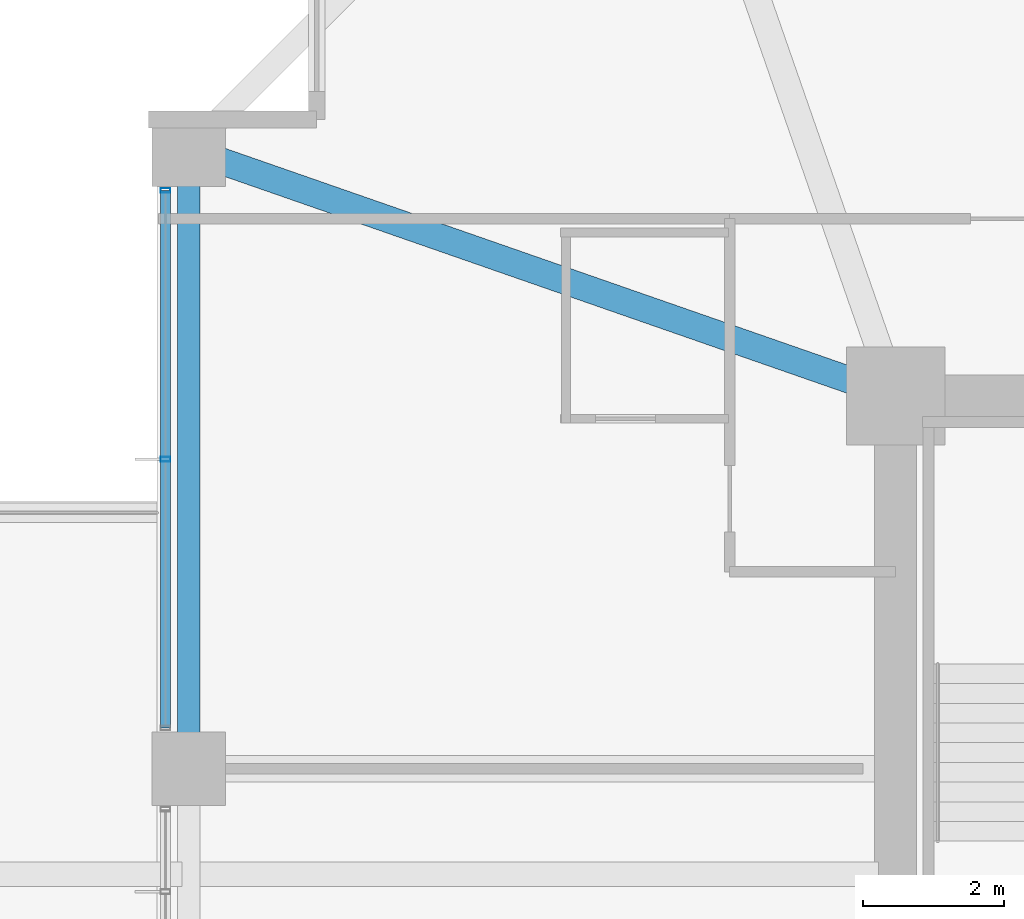
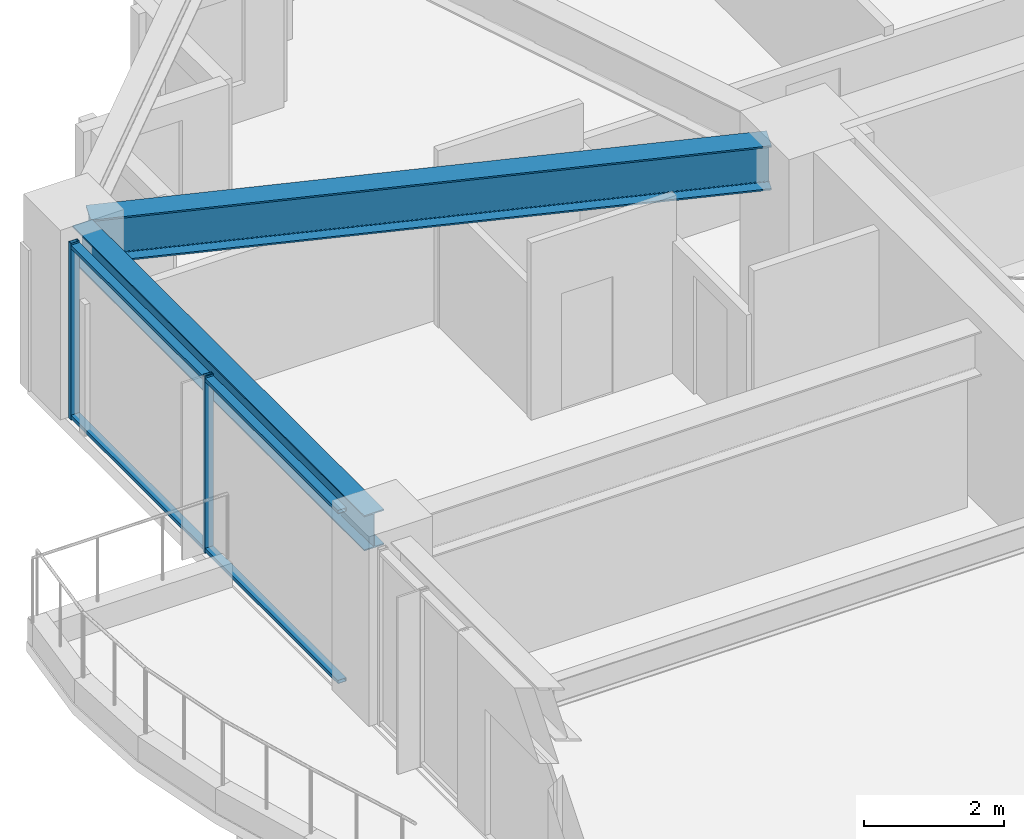
# One storey, part 16 of 38: 4 members, 2 beams, 1 element without a shape of its own.
"""IFC4 building model written with IfcOpenShell, lengths in metres."""

import ifcopenshell
import ifcopenshell.guid

model = None  # the IFC model being written
_history = None  # IfcOwnerHistory: only IFC2X3 demands one
_inside = {}  # id of a spatial element -> (the spatial element, [elements in it])
_under = {}  # id of a project, library or spatial element -> (it, [spatial elements below it])
_declared = {}  # id of a project -> (the project, [libraries it declares])
_typed = {}  # id of a type object -> (the type object, [elements of that type])
_made_of = {}  # id of a material, layer set ... -> (it, [elements and type objects made of it])


def new_model(schema):
    """Start an empty IFC model of exactly this schema.

    Asked for "IFC4X3", IfcOpenShell would pick the latest addendum, in which some entities
    have other attributes; the version numbers below select the first issue.
    IFC2X3 requires an IfcOwnerHistory on every rooted entity: one is made here for all.
    """
    global model, _history
    if schema == "IFC4X3":
        model = ifcopenshell.file(schema_version=(4, 3, 0, 0))
    else:
        model = ifcopenshell.file(schema=schema)
    _inside.clear()
    _under.clear()
    _declared.clear()
    _typed.clear()
    _made_of.clear()
    _history = None
    if model.schema == "IFC2X3":
        org = make("IfcOrganization", Name="unknown")
        user = make(
            "IfcPersonAndOrganization",
            ThePerson=make("IfcPerson", FamilyName="unknown"),
            TheOrganization=org,
        )
        app = make(
            "IfcApplication",
            ApplicationDeveloper=org,
            Version="unknown",
            ApplicationFullName="unknown",
            ApplicationIdentifier="unknown",
        )
        _history = make(
            "IfcOwnerHistory",
            OwningUser=user,
            OwningApplication=app,
            ChangeAction="ADDED",
            CreationDate=0,
        )
    return model


def make(cls, **values):
    """One entity of the class cls with the attributes given. An attribute that is None is left unset."""
    return model.create_entity(
        cls, **{name: value for name, value in values.items() if value is not None}
    )


def rooted(cls, **values):
    """An entity with a GlobalId (a new one), such as an element, a storey or a relation."""
    return make(cls, GlobalId=ifcopenshell.guid.new(), OwnerHistory=_history, **values)


def si_unit(unit_type, name, prefix=None):
    """IfcSIUnit, for example si_unit("LENGTHUNIT", "METRE", prefix="MILLI")."""
    return make("IfcSIUnit", UnitType=unit_type, Prefix=prefix, Name=name)


def assignment(units):
    """IfcUnitAssignment: the units of a project."""
    return None if units is None else make("IfcUnitAssignment", Units=units)


def point(xyz):
    """IfcCartesianPoint."""
    return None if xyz is None else make("IfcCartesianPoint", Coordinates=xyz)


def direction(xyz):
    """IfcDirection."""
    return None if xyz is None else make("IfcDirection", DirectionRatios=xyz)


def frame(location, z_axis=None, x_axis=None):
    """IfcAxis2Placement3D, a coordinate frame: its origin and axes. An axis left out is left unset."""
    return make(
        "IfcAxis2Placement3D",
        Location=point(location),
        Axis=direction(z_axis),
        RefDirection=direction(x_axis),
    )


def frame_2d(location, x_axis=None):
    """IfcAxis2Placement2D, a coordinate frame in the plane: its origin and x axis."""
    return make(
        "IfcAxis2Placement2D", Location=point(location), RefDirection=direction(x_axis)
    )


def origin():
    """The frame at (0, 0, 0) with its axes left unset."""
    return frame((0.0, 0.0, 0.0))


def origin_2d():
    """The frame at (0, 0) in the plane with its x axis left unset."""
    return frame_2d((0.0, 0.0))


def place(relative_to, where):
    """IfcLocalPlacement: puts the frame where relative to a parent placement (None: the world)."""
    return make(
        "IfcLocalPlacement", PlacementRelTo=relative_to, RelativePlacement=where
    )


def context(
    kind, dimensions, precision=None, world=None, true_north=None, identifier=None
):
    """IfcGeometricRepresentationContext, for example the 3D "Model" context."""
    return make(
        "IfcGeometricRepresentationContext",
        ContextIdentifier=identifier,
        ContextType=kind,
        CoordinateSpaceDimension=dimensions,
        Precision=precision,
        WorldCoordinateSystem=world,
        TrueNorth=true_north,
    )


def subcontext(parent, identifier, kind, view, scale=None):
    """IfcGeometricRepresentationSubContext, for example "Body" below "Model"."""
    return make(
        "IfcGeometricRepresentationSubContext",
        ContextIdentifier=identifier,
        ContextType=kind,
        ParentContext=parent,
        TargetScale=scale,
        TargetView=view,
    )


def project(units=None, contexts=None):
    """IfcProject with its units and contexts."""
    return rooted(
        "IfcProject",
        Name="project",
        RepresentationContexts=contexts,
        UnitsInContext=assignment(units),
    )


def spatial(cls, under=None, at=None, **own):
    """A site, building, storey or space (cls), placed at a placement, below another one or the project."""
    s = rooted(cls, ObjectPlacement=at, **own)
    if under is not None:
        _under.setdefault(under.id(), (under, []))[1].append(s)
    return s


def profile(cls, at=None, kind="AREA", **sizes):
    """A parametric profile (cls). Its sizes go by their IFC names, for example OverallWidth=200.0."""
    return make(cls, ProfileType=kind, Position=at, **sizes)


def hollow_rectangle(**sizes):
    """IfcRectangleHollowProfileDef."""
    return profile("IfcRectangleHollowProfileDef", **sizes)


def i_section(**sizes):
    """IfcIShapeProfileDef."""
    return profile("IfcIShapeProfileDef", **sizes)


def extrude(swept, where, along, depth):
    """IfcExtrudedAreaSolid: the profile swept, set in the frame where, extruded along a direction by depth."""
    return make(
        "IfcExtrudedAreaSolid",
        SweptArea=swept,
        Position=where,
        ExtrudedDirection=direction(along),
        Depth=depth,
    )


def shape(context_of_items, identifier, shape_type, items):
    """IfcShapeRepresentation: the items that make up one representation, for example the "Body"."""
    return make(
        "IfcShapeRepresentation",
        ContextOfItems=context_of_items,
        RepresentationIdentifier=identifier,
        RepresentationType=shape_type,
        Items=items,
    )


def material(Name=None, Category=None):
    """IfcMaterial."""
    return make("IfcMaterial", Name=Name, Category=Category)


def material_profile(
    of_material, cross_section, Name=None, Category=None, Priority=None
):
    """IfcMaterialProfile: a cross section and its material."""
    return make(
        "IfcMaterialProfile",
        Name=Name,
        Material=of_material,
        Profile=cross_section,
        Priority=Priority,
        Category=Category,
    )


def profile_set(profiles, Name=None, composite=None):
    """IfcMaterialProfileSet."""
    return make(
        "IfcMaterialProfileSet",
        Name=Name,
        MaterialProfiles=profiles,
        CompositeProfile=composite,
    )


def made_of(thing, what):
    """Note that an element or type object is made of a material, layer set ...; save() writes the relation."""
    if what is not None:
        _made_of.setdefault(what.id(), (what, []))[1].append(thing)
    return thing


def type_object(cls, material=None, **own):
    """A type object (cls), such as IfcWallType, which elements share."""
    return made_of(rooted(cls, **own), material)


def element(
    cls,
    number,
    at=None,
    inside=None,
    cuts=None,
    type_object=None,
    material=None,
    context=None,
    identifier="Body",
    shape_type=None,
    held_by="IfcProductDefinitionShape",
    body=None,
    shapes=None,
    **own,
):
    """One element of the class cls, such as IfcWall. Its Tag is "e" and its number.

    at: its placement. inside: the storey or other place that contains it. cuts: it is an
    opening in that element (IfcRelVoidsElement). A single representation is given by context,
    identifier, shape_type and body (its items); several are given by shapes. held_by: the class
    of the entity that holds the representations. save() writes the other relations.
    """
    e = rooted(cls, Tag="e%d" % number, ObjectPlacement=at, **own)
    if body is not None:
        shapes = [shape(context, identifier, shape_type, body)]
    if shapes is not None:
        e.Representation = make(held_by, Representations=shapes)
    if inside is not None:
        _inside.setdefault(inside.id(), (inside, []))[1].append(e)
    if cuts is not None:
        rooted(
            "IfcRelVoidsElement", RelatingBuildingElement=cuts, RelatedOpeningElement=e
        )
    if type_object is not None:
        _typed.setdefault(type_object.id(), (type_object, []))[1].append(e)
    return made_of(e, material)


def aggregate(whole, parts):
    """IfcRelAggregates: a whole, such as a stair, and the parts it consists of."""
    return rooted("IfcRelAggregates", RelatingObject=whole, RelatedObjects=parts)


def save(model, path):
    """Write the relations noted so far, then the file.

    IfcRelAggregates (storeys below a building ...), IfcRelContainedInSpatialStructure (elements
    in a storey), IfcRelDefinesByType, IfcRelAssociatesMaterial and IfcRelDeclares: one each for
    every whole, place, type object, material and project.
    """
    for whole, parts in _under.values():
        aggregate(whole, parts)
    for where, things in _inside.values():
        rooted(
            "IfcRelContainedInSpatialStructure",
            RelatedElements=things,
            RelatingStructure=where,
        )
    for kind, things in _typed.values():
        rooted("IfcRelDefinesByType", RelatedObjects=things, RelatingType=kind)
    for what, things in _made_of.values():
        rooted("IfcRelAssociatesMaterial", RelatedObjects=things, RelatingMaterial=what)
    for by, libraries in _declared.values():
        rooted("IfcRelDeclares", RelatingContext=by, RelatedDefinitions=libraries)
    model.write(path)


model = new_model("IFC4")

# Units and contexts
model_context = context("Model", 3, precision=1e-05, world=origin(), true_north=direction((0.0, 1.0)))
body_context = subcontext(model_context, "Body", "Model", "MODEL_VIEW")
ifc_project = project(units=[si_unit("LENGTHUNIT", "METRE"), si_unit("AREAUNIT", "SQUARE_METRE"), si_unit("VOLUMEUNIT", "CUBIC_METRE"), si_unit("PLANEANGLEUNIT", "RADIAN"), si_unit("MASSUNIT", "GRAM", prefix="KILO")], contexts=[model_context])

# Site, building, storey
site_placement = place(None, origin())
site = spatial("IfcSite", under=ifc_project, at=site_placement, CompositionType="ELEMENT")
building_placement = place(site_placement, origin())
building = spatial("IfcBuilding", under=site, at=building_placement, Name="Kolvaren Belvedere", CompositionType="ELEMENT")
storey_placement = place(building_placement, frame((0.0, 0.0, 101.89990234375)))
storey = spatial("IfcBuildingStorey", under=building, at=storey_placement, Name="L29", CompositionType="ELEMENT", Elevation=101.89990234375)

# Beams
ifc_material_1 = material(Name="Structural steel ASTM A992 Grade 50", Category="steel")
ifc_material_profile_1 = material_profile(ifc_material_1, i_section(OverallWidth=0.381103515625, OverallDepth=0.77294921875, WebThickness=0.0166015625, FlangeThickness=0.027099609375, FilletRadius=0.02392578125, at=origin_2d()), Name="W30X173")
ifc_profile_set_1 = profile_set([ifc_material_profile_1], Name="Structural steel ASTM A992 Grade 50")
beam_type_1 = type_object("IfcBeamType", Name="BM-GIRD-W30X173", PredefinedType="BEAM", material=ifc_profile_set_1)
beam_1_placement = place(storey_placement, frame((-10.41943359375, 10.080810546875, 2.693603515625), z_axis=(-0.944371408538, 0.328880894453, 0.0), x_axis=(-0.328880894453, -0.944371408538, 0.0)))
element("IfcBeam", 1, at=beam_1_placement, inside=storey, type_object=beam_type_1, Name="L29 Corner Core-to-Perimeter Girder CC4-W4", PredefinedType="BEAM", context=body_context, shape_type="SweptSolid", body=[
    extrude(i_section(OverallWidth=0.381103515625, OverallDepth=0.77294921875, WebThickness=0.0166015625, FlangeThickness=0.027099609375, FilletRadius=0.02392578125, at=origin_2d()), origin(), (0.0, 0.0, 1.0), 9.882080078125),
])
ifc_material_2 = material(Name="Structural steel ASTM A992 Grade 50", Category="steel")
ifc_material_profile_2 = material_profile(ifc_material_2, i_section(OverallWidth=0.324951171875, OverallDepth=0.615966796875, WebThickness=0.013916015625, FlangeThickness=0.021484375, FilletRadius=0.02001953125, at=origin_2d()), Name="W24X117")
ifc_profile_set_2 = profile_set([ifc_material_profile_2], Name="Structural steel ASTM A992 Grade 50")
beam_type_2 = type_object("IfcBeamType", Name="BM-SPAN-W24X117", PredefinedType="SPANDREL", material=ifc_profile_set_2)
beam_2_placement = place(storey_placement, frame((-19.949951171875, 13.163818359375, 2.772216796875), z_axis=(0.0, -1.0, 0.0), x_axis=(1.0, 0.0, 0.0)))
element("IfcBeam", 2, at=beam_2_placement, inside=storey, type_object=beam_type_2, Name="L29 Perimeter Spandrel W4-W3", PredefinedType="SPANDREL", context=body_context, shape_type="SweptSolid", body=[
    extrude(i_section(OverallWidth=0.324951171875, OverallDepth=0.615966796875, WebThickness=0.013916015625, FlangeThickness=0.021484375, FilletRadius=0.02001953125, at=origin_2d()), origin(), (0.0, 0.0, 1.0), 8.32763671875),
])

# Curtain wall, members
ifc_material_3 = material(Name="Anodised pale-metal aluminium AA 6063-T6", Category="aluminium")
curtain_wall_type = type_object("IfcCurtainWallType", Name="CW-Z2-MID", PredefinedType="NOTDEFINED", material=ifc_material_3)
curtain_wall_placement = place(storey_placement, origin())
curtain_wall = element("IfcCurtainWall", 3, at=curtain_wall_placement, inside=storey, type_object=curtain_wall_type, Name="L29 Unitised Curtain Wall FCW-L29-W2-B2", PredefinedType="NOTDEFINED")
ifc_material_4 = material(Name="Anodised pale-metal aluminium AA 6063-T6", Category="aluminium")
ifc_material_profile_3 = material_profile(ifc_material_4, hollow_rectangle(XDim=0.06494140625, YDim=0.139892578125, WallThickness=0.00390625, at=origin_2d()), Name="ALU-MUL-140X65")
ifc_profile_set_3 = profile_set([ifc_material_profile_3], Name="Anodised pale-metal aluminium AA 6063-T6")
member_type_1 = type_object("IfcMemberType", Name="CW-MUL-140", PredefinedType="MULLION", material=ifc_profile_set_3)
member_1_placement = place(storey_placement, frame((-20.280029296875, 9.0, 0.0), z_axis=(0.0, 0.0, 1.0), x_axis=(0.0, 1.0, 0.0)))
member_1 = element("IfcMember", 4, at=member_1_placement, type_object=member_type_1, Name="FCW-L29-W2-B2 Unitised Mullion 2", PredefinedType="MULLION", context=body_context, shape_type="SweptSolid", body=[
    extrude(hollow_rectangle(XDim=0.06494140625, YDim=0.139892578125, WallThickness=0.00390625, at=origin_2d()), origin(), (0.0, 0.0, 1.0), 3.080078125),
])
member_2_placement = place(storey_placement, frame((-20.280029296875, 12.822509765625, 0.0), z_axis=(0.0, 0.0, 1.0), x_axis=(0.0, 1.0, 0.0)))
member_2 = element("IfcMember", 5, at=member_2_placement, type_object=member_type_1, Name="FCW-L29-W2-B2 Unitised Mullion 3", PredefinedType="MULLION", context=body_context, shape_type="SweptSolid", body=[
    extrude(hollow_rectangle(XDim=0.06494140625, YDim=0.139892578125, WallThickness=0.00390625, at=origin_2d()), origin(), (0.0, 0.0, 1.0), 3.080078125),
])
ifc_material_5 = material(Name="Anodised pale-metal aluminium AA 6063-T6", Category="aluminium")
ifc_material_profile_4 = material_profile(ifc_material_5, hollow_rectangle(XDim=0.06005859375, YDim=0.139892578125, WallThickness=0.00390625, at=origin_2d()), Name="ALU-TRN-140X60")
ifc_profile_set_4 = profile_set([ifc_material_profile_4], Name="Anodised pale-metal aluminium AA 6063-T6")
member_type_2 = type_object("IfcMemberType", Name="CW-TRN-140", PredefinedType="USERDEFINED", material=ifc_profile_set_4)
member_3_placement = place(storey_placement, frame((-20.280029296875, 5.177490234375, 0.06005859375), z_axis=(0.0, 1.0, 0.0), x_axis=(0.0, 0.0, 1.0)))
member_3 = element("IfcMember", 6, at=member_3_placement, type_object=member_type_2, Name="FCW-L29-W2-B2 Sill Transom", ObjectType="TRANSOM", PredefinedType="USERDEFINED", context=body_context, shape_type="SweptSolid", body=[
    extrude(hollow_rectangle(XDim=0.06005859375, YDim=0.139892578125, WallThickness=0.00390625, at=origin_2d()), origin(), (0.0, 0.0, 1.0), 7.64501953125),
])
member_4_placement = place(storey_placement, frame((-20.280029296875, 5.177490234375, 3.02001953125), z_axis=(0.0, 1.0, 0.0), x_axis=(0.0, 0.0, 1.0)))
member_4 = element("IfcMember", 7, at=member_4_placement, type_object=member_type_2, Name="FCW-L29-W2-B2 Head Transom", ObjectType="TRANSOM", PredefinedType="USERDEFINED", context=body_context, shape_type="SweptSolid", body=[
    extrude(hollow_rectangle(XDim=0.06005859375, YDim=0.139892578125, WallThickness=0.00390625, at=origin_2d()), origin(), (0.0, 0.0, 1.0), 7.64501953125),
])
aggregate(curtain_wall, [member_1, member_2, member_3, member_4])

save(model, "model.ifc")
